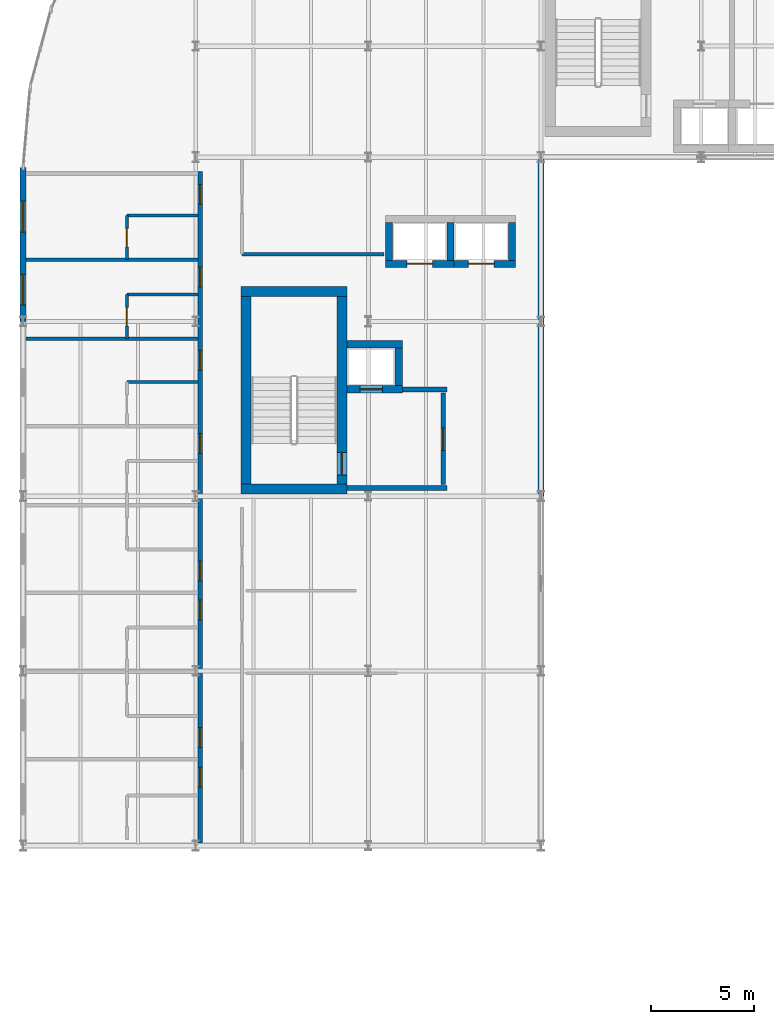
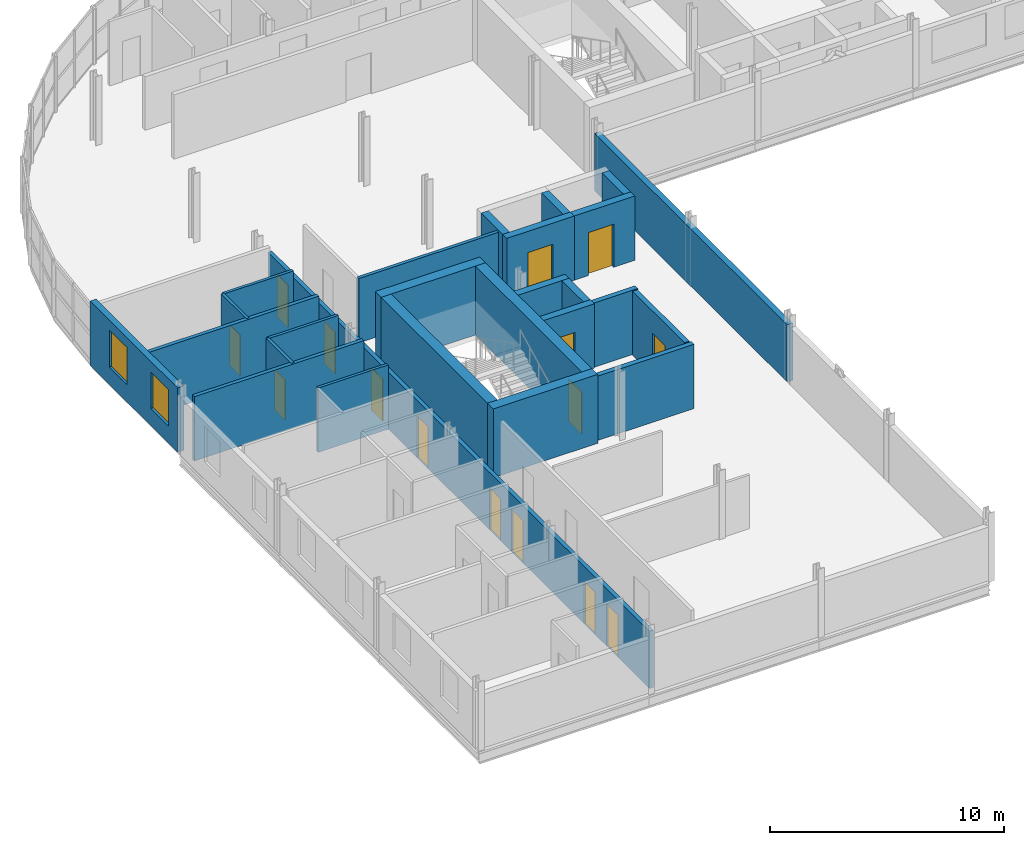
# One storey, part 21 of 36: 26 walls, 15 doors, 2 windows, 17 openings.
"""IFC4 building model written with IfcOpenShell, lengths in metres."""

from ifc_helpers import new_model, si_unit, direction, frame, frame_2d, origin, place, context, subcontext, project, spatial, rectangle, extrude, material, layer, layer_set, type_object, element, fill, save


model = new_model("IFC4")

# Units and contexts
model_context = context("Model", 3, precision=1e-05, world=origin(), true_north=direction((0.0, 1.0)))
body_context = subcontext(model_context, "Body", "Model", "MODEL_VIEW")
ifc_project = project(units=[si_unit("LENGTHUNIT", "METRE"), si_unit("AREAUNIT", "SQUARE_METRE"), si_unit("VOLUMEUNIT", "CUBIC_METRE"), si_unit("PLANEANGLEUNIT", "RADIAN"), si_unit("MASSUNIT", "GRAM", prefix="KILO")], contexts=[model_context])

# Site, building, storey
site_placement = place(None, origin())
site = spatial("IfcSite", under=ifc_project, at=site_placement, CompositionType="ELEMENT")
building_placement = place(site_placement, origin())
building = spatial("IfcBuilding", under=site, at=building_placement, Name="Sefraquen Railside Congress Hotel", CompositionType="ELEMENT")
storey_placement = place(building_placement, frame((0.0, 0.0, 28.199951171875)))
storey = spatial("IfcBuildingStorey", under=building, at=storey_placement, Name="L06", CompositionType="ELEMENT", Elevation=28.199951171875)

# Wall
ifc_material_1 = material(Name="Concrete C50/60", Category="concrete")
ifc_layer_1 = layer(ifc_material_1, 0.35009765625)
ifc_layer_set_1 = layer_set([ifc_layer_1], Name="Concrete C50/60")
wall_type_1 = type_object("IfcWallType", Name="TW-CW-350", PredefinedType="SHEAR", material=ifc_layer_set_1)
wall_1_placement = place(storey_placement, frame((15.760009765625, 86.89501953125, 0.0), z_axis=(0.0, 0.0, 1.0), x_axis=(1.0, 0.0, 0.0)))
element("IfcWall", 1, at=wall_1_placement, inside=storey, type_object=wall_type_1, Name="Lift FL-01 shaft wall N L06", PredefinedType="SHEAR", context=body_context, shape_type="SweptSolid", body=[
    extrude(rectangle(XDim=2.68994140625, YDim=0.35009765625, at=frame_2d((1.344970703125, 0.0))), origin(), (0.0, 0.0, 1.0), 3.360107421875),
])

# Wall, opening, door
wall_2_placement = place(storey_placement, frame((15.760009765625, 84.705078125, 0.0), z_axis=(0.0, 0.0, 1.0), x_axis=(1.0, 0.0, 0.0)))
wall_2 = element("IfcWall", 2, at=wall_2_placement, inside=storey, type_object=wall_type_1, Name="Lift FL-01 shaft wall S L06", PredefinedType="SHEAR", context=body_context, shape_type="SweptSolid", body=[
    extrude(rectangle(XDim=2.68994140625, YDim=0.35009765625, at=frame_2d((1.344970703125, 0.0))), origin(), (0.0, 0.0, 1.0), 3.360107421875),
])
opening_1_placement = place(wall_2_placement, frame((0.6201171875, 0.0, 0.0)))
opening_1 = element("IfcOpeningElement", 3, at=opening_1_placement, cuts=wall_2, Name="Opening LD-01", PredefinedType="OPENING", context=body_context, shape_type="SweptSolid", body=[
    extrude(rectangle(XDim=1.10009765625, YDim=2.199951171875, at=frame_2d((0.550048828125, 1.10009765625))), frame((0.0, 0.18505859375, 0.0), z_axis=(0.0, -1.0, 0.0), x_axis=(1.0, 0.0, 0.0)), (0.0, 0.0, 1.0), 0.3701171875),
])
ifc_material_2 = material(Name="Brushed bronze stainless steel", Category="steel")
door_type_1 = type_object("IfcDoorType", Name="TD-LD-01", OperationType="NOTDEFINED", PredefinedType="DOOR", material=ifc_material_2)
door_1_placement = place(opening_1_placement, origin())
door_1 = element("IfcDoor", 4, at=door_1_placement, inside=storey, type_object=door_type_1, Name="Lift landing door FL-01 L06", OperationType="SLIDING_TO_LEFT", OverallHeight=2.199951171875, OverallWidth=1.10009765625, PredefinedType="DOOR", context=body_context, shape_type="SweptSolid", body=[
    extrude(rectangle(XDim=1.10009765625, YDim=2.199951171875, at=frame_2d((0.550048828125, 1.10009765625))), frame((0.0, 0.02490234375, 0.0), z_axis=(0.0, -1.0, 0.0), x_axis=(1.0, 0.0, 0.0)), (0.0, 0.0, 1.0), 0.050048828125),
])
fill(opening_1, door_1)

# Wall
wall_3_placement = place(storey_placement, frame((18.27490234375, 84.8798828125, 0.0), z_axis=(0.0, 0.0, 1.0), x_axis=(0.0, 1.0, 0.0)))
element("IfcWall", 5, at=wall_3_placement, inside=storey, type_object=wall_type_1, Name="Lift FL-01 shaft wall E L06", PredefinedType="SHEAR", context=body_context, shape_type="SweptSolid", body=[
    extrude(rectangle(XDim=1.840087890625, YDim=0.35009765625, at=frame_2d((0.919921875, 0.0))), origin(), (0.0, 0.0, 1.0), 3.360107421875),
])

# Wall, opening, door
wall_4_placement = place(storey_placement, frame((17.6298828125, 90.804931640625, 0.0), z_axis=(0.0, 0.0, 1.0), x_axis=(1.0, 0.0, 0.0)))
wall_4 = element("IfcWall", 6, at=wall_4_placement, inside=storey, type_object=wall_type_1, Name="Lift PL-01 shaft wall S L06", PredefinedType="SHEAR", context=body_context, shape_type="SweptSolid", body=[
    extrude(rectangle(XDim=3.340087890625, YDim=0.35009765625, at=frame_2d((1.669921875, 0.0))), origin(), (0.0, 0.0, 1.0), 3.360107421875),
])
opening_2_placement = place(wall_4_placement, frame((1.044921875, 0.0, 0.0)))
opening_2 = element("IfcOpeningElement", 7, at=opening_2_placement, cuts=wall_4, Name="Opening LD-02", PredefinedType="OPENING", context=body_context, shape_type="SweptSolid", body=[
    extrude(rectangle(XDim=1.25, YDim=2.25, at=frame_2d((0.625, 1.125))), frame((0.0, 0.18505859375, 0.0), z_axis=(0.0, -1.0, 0.0), x_axis=(1.0, 0.0, 0.0)), (0.0, 0.0, 1.0), 0.3701171875),
])
ifc_material_3 = material(Name="Brushed stainless steel", Category="steel")
door_type_2 = type_object("IfcDoorType", Name="TD-LD-02", OperationType="NOTDEFINED", PredefinedType="DOOR", material=ifc_material_3)
door_2_placement = place(opening_2_placement, origin())
door_2 = element("IfcDoor", 8, at=door_2_placement, inside=storey, type_object=door_type_2, Name="Lift landing door PL-01 L06", OperationType="SLIDING_TO_LEFT", OverallHeight=2.25, OverallWidth=1.25, PredefinedType="DOOR", context=body_context, shape_type="SweptSolid", body=[
    extrude(rectangle(XDim=1.25, YDim=2.25, at=frame_2d((0.625, 1.125))), frame((0.0, 0.02490234375, 0.0), z_axis=(0.0, -1.0, 0.0), x_axis=(1.0, 0.0, 0.0)), (0.0, 0.0, 1.0), 0.050048828125),
])
fill(opening_2, door_2)

# Walls
for number, where, z_axis, x_axis, name in (
    (9, (17.804931640625, 90.97998046875, 0.0), (0.0, 0.0, 1.0), (0.0, 1.0, 0.0), "Lift PL-01 shaft wall W L06"),
    (10, (20.794921875, 90.97998046875, 0.0), (0.0, 0.0, 1.0), (0.0, 1.0, 0.0), "Lift PL-01 shaft wall E L06"),
):
    element("IfcWall", number, at=place(storey_placement, frame(where, z_axis=z_axis, x_axis=x_axis)), inside=storey, type_object=wall_type_1, Name=name, PredefinedType="SHEAR", context=body_context, shape_type="SweptSolid", body=[
        extrude(rectangle(XDim=1.840087890625, YDim=0.35009765625, at=frame_2d((0.919921875, 0.0))), origin(), (0.0, 0.0, 1.0), 3.360107421875),
    ])

# Wall, opening, door
wall_5_placement = place(storey_placement, frame((20.969970703125, 90.804931640625, 0.0), z_axis=(0.0, 0.0, 1.0), x_axis=(1.0, 0.0, 0.0)))
wall_5 = element("IfcWall", 11, at=wall_5_placement, inside=storey, type_object=wall_type_1, Name="Lift PL-02 shaft wall S L06", PredefinedType="SHEAR", context=body_context, shape_type="SweptSolid", body=[
    extrude(rectangle(XDim=2.989990234375, YDim=0.35009765625, at=frame_2d((1.4951171875, 0.0))), origin(), (0.0, 0.0, 1.0), 3.360107421875),
])
opening_3_placement = place(wall_5_placement, frame((0.695068359375, 0.0, 0.0)))
opening_3 = element("IfcOpeningElement", 12, at=opening_3_placement, cuts=wall_5, Name="Opening LD-02", PredefinedType="OPENING", context=body_context, shape_type="SweptSolid", body=[
    extrude(rectangle(XDim=1.25, YDim=2.25, at=frame_2d((0.625, 1.125))), frame((0.0, 0.18505859375, 0.0), z_axis=(0.0, -1.0, 0.0), x_axis=(1.0, 0.0, 0.0)), (0.0, 0.0, 1.0), 0.3701171875),
])
door_3_placement = place(opening_3_placement, origin())
door_3 = element("IfcDoor", 13, at=door_3_placement, inside=storey, type_object=door_type_2, Name="Lift landing door PL-02 L06", OperationType="SLIDING_TO_LEFT", OverallHeight=2.25, OverallWidth=1.25, PredefinedType="DOOR", context=body_context, shape_type="SweptSolid", body=[
    extrude(rectangle(XDim=1.25, YDim=2.25, at=frame_2d((0.625, 1.125))), frame((0.0, 0.02490234375, 0.0), z_axis=(0.0, -1.0, 0.0), x_axis=(1.0, 0.0, 0.0)), (0.0, 0.0, 1.0), 0.050048828125),
])
fill(opening_3, door_3)

# Walls
wall_6_placement = place(storey_placement, frame((23.784912109375, 90.97998046875, 0.0), z_axis=(0.0, 0.0, 1.0), x_axis=(0.0, 1.0, 0.0)))
element("IfcWall", 14, at=wall_6_placement, inside=storey, type_object=wall_type_1, Name="Lift PL-02 shaft wall E L06", PredefinedType="SHEAR", context=body_context, shape_type="SweptSolid", body=[
    extrude(rectangle(XDim=1.840087890625, YDim=0.35009765625, at=frame_2d((0.919921875, 0.0))), origin(), (0.0, 0.0, 1.0), 3.360107421875),
])
ifc_layer_2 = layer(ifc_material_1, 0.5)
ifc_layer_set_2 = layer_set([ifc_layer_2], Name="Concrete C50/60")
wall_type_2 = type_object("IfcWallType", Name="TW-CW-500", PredefinedType="SHEAR", material=ifc_layer_set_2)
for number, where, z_axis, x_axis, name in (
    (15, (10.60009765625, 89.4619140625, 0.0), (0.0, 0.0, 1.0), (1.0, 0.0, 0.0), "Core shear wall ST-H01 N L06"),
    (16, (10.60009765625, 79.85009765625, 0.0), (0.0, 0.0, 1.0), (1.0, 0.0, 0.0), "Core shear wall ST-H01 S L06"),
):
    element("IfcWall", number, at=place(storey_placement, frame(where, z_axis=z_axis, x_axis=x_axis)), inside=storey, type_object=wall_type_2, Name=name, PredefinedType="SHEAR", context=body_context, shape_type="SweptSolid", body=[
        extrude(rectangle(XDim=5.159912109375, YDim=0.5, at=frame_2d((2.580078125, 0.0))), origin(), (0.0, 0.0, 1.0), 3.60009765625),
    ])
wall_7_placement = place(storey_placement, frame((10.85009765625, 80.10009765625, 0.0), z_axis=(0.0, 0.0, 1.0), x_axis=(0.0, 1.0, 0.0)))
element("IfcWall", 17, at=wall_7_placement, inside=storey, type_object=wall_type_2, Name="Core shear wall ST-H01 W L06", PredefinedType="SHEAR", context=body_context, shape_type="SweptSolid", body=[
    extrude(rectangle(XDim=9.11181640625, YDim=0.5, at=frame_2d((4.555908203125, 0.0))), origin(), (0.0, 0.0, 1.0), 3.60009765625),
])

# Wall, opening, door
wall_8_placement = place(storey_placement, frame((15.510009765625, 80.10009765625, 0.0), z_axis=(0.0, 0.0, 1.0), x_axis=(0.0, 1.0, 0.0)))
wall_8 = element("IfcWall", 18, at=wall_8_placement, inside=storey, type_object=wall_type_2, Name="Core shear wall ST-H01 E L06", PredefinedType="SHEAR", context=body_context, shape_type="SweptSolid", body=[
    extrude(rectangle(XDim=9.11181640625, YDim=0.5, at=frame_2d((4.555908203125, 0.0))), origin(), (0.0, 0.0, 1.0), 3.60009765625),
])
opening_4_placement = place(wall_8_placement, frame((0.43994140625, 0.0, 0.0)))
opening_4 = element("IfcOpeningElement", 19, at=opening_4_placement, cuts=wall_8, Name="Opening FD-04", PredefinedType="OPENING", context=body_context, shape_type="SweptSolid", body=[
    extrude(rectangle(XDim=1.10009765625, YDim=2.199951171875, at=frame_2d((0.550048828125, 1.10009765625))), frame((0.0, 0.260009765625, 0.0), z_axis=(0.0, -1.0, 0.0), x_axis=(1.0, 0.0, 0.0)), (0.0, 0.0, 1.0), 0.52001953125),
])
ifc_material_4 = material(Name="Fire-rated steel", Category="steel")
door_type_3 = type_object("IfcDoorType", Name="TD-FD-04", OperationType="NOTDEFINED", PredefinedType="DOOR", material=ifc_material_4)
door_4_placement = place(opening_4_placement, origin())
door_4 = element("IfcDoor", 20, at=door_4_placement, inside=storey, type_object=door_type_3, Name="Pressurized stair ST-H01 fire door L06", OperationType="SINGLE_SWING_RIGHT", OverallHeight=2.199951171875, OverallWidth=1.10009765625, PredefinedType="DOOR", context=body_context, shape_type="SweptSolid", body=[
    extrude(rectangle(XDim=1.10009765625, YDim=2.199951171875, at=frame_2d((0.550048828125, 1.10009765625))), frame((0.0, 0.02490234375, 0.0), z_axis=(0.0, -1.0, 0.0), x_axis=(1.0, 0.0, 0.0)), (0.0, 0.0, 1.0), 0.050048828125),
])
fill(opening_4, door_4)

# Wall
ifc_material_5 = material(Name="Ochre Rabat calcarenite limestone and Concrete C40/50 backing", Category="masonry")
ifc_layer_3 = layer(ifc_material_5, 0.280029296875)
ifc_layer_set_3 = layer_set([ifc_layer_3], Name="Ochre Rabat calcarenite limestone and Concrete C40/50 backing")
wall_type_3 = type_object("IfcWallType", Name="TW-EW-280", PredefinedType="STANDARD", material=ifc_layer_set_3)
wall_9_placement = place(storey_placement, frame((25.199951171875, 79.5, 0.0), z_axis=(0.0, 0.0, 1.0), x_axis=(0.0, 1.0, 0.0)))
element("IfcWall", 21, at=wall_9_placement, inside=storey, type_object=wall_type_3, Name="Hotel L06 courtyard return wall", PredefinedType="STANDARD", context=body_context, shape_type="SweptSolid", body=[
    extrude(rectangle(XDim=16.5, YDim=0.280029296875, at=frame_2d((8.25, 0.0))), origin(), (0.0, 0.0, 1.0), 2.989990234375),
])

# Wall, openings, windows
ifc_layer_4 = layer(ifc_material_5, 0.300048828125)
ifc_layer_set_4 = layer_set([ifc_layer_4], Name="Ochre Rabat calcarenite limestone and Concrete C40/50 backing")
wall_type_4 = type_object("IfcWallType", Name="TW-EW-300", PredefinedType="STANDARD", material=ifc_layer_set_4)
wall_10_placement = place(storey_placement, frame((0.0, 88.0, 0.0), z_axis=(0.0, 0.0, 1.0), x_axis=(0.0, 1.0, 0.0)))
wall_10 = element("IfcWall", 22, at=wall_10_placement, inside=storey, type_object=wall_type_4, Name="Hotel L06 West Forecourt facade wall", PredefinedType="STANDARD", context=body_context, shape_type="SweptSolid", body=[
    extrude(rectangle(XDim=7.5, YDim=0.300048828125, at=frame_2d((3.75, 0.0))), origin(), (0.0, 0.0, 1.0), 3.360107421875),
])
opening_5_placement = place(wall_10_placement, frame((0.800048828125, 0.0, 0.89990234375)))
opening_5 = element("IfcOpeningElement", 23, at=opening_5_placement, cuts=wall_10, Name="Opening WN-03", PredefinedType="OPENING", context=body_context, shape_type="SweptSolid", body=[
    extrude(rectangle(XDim=1.5, YDim=1.89990234375, at=frame_2d((0.75, 0.949951171875))), frame((0.0, 0.159912109375, 0.0), z_axis=(0.0, -1.0, 0.0), x_axis=(1.0, 0.0, 0.0)), (0.0, 0.0, 1.0), 0.320068359375),
])
opening_6_placement = place(wall_10_placement, frame((4.35498046875, 0.0, 0.89990234375)))
opening_6 = element("IfcOpeningElement", 24, at=opening_6_placement, cuts=wall_10, Name="Opening WN-04", PredefinedType="OPENING", context=body_context, shape_type="SweptSolid", body=[
    extrude(rectangle(XDim=1.5, YDim=1.949951171875, at=frame_2d((0.75, 0.97509765625))), frame((0.0, 0.159912109375, 0.0), z_axis=(0.0, -1.0, 0.0), x_axis=(1.0, 0.0, 0.0)), (0.0, 0.0, 1.0), 0.320068359375),
])
ifc_material_6 = material(Name="Solar-control low-E double glazing in bronze-anodised frame", Category="glass")
window_type_1 = type_object("IfcWindowType", Name="TWN-W-03", PartitioningType="DOUBLE_PANEL_VERTICAL", PredefinedType="WINDOW", material=ifc_material_6)
window_1_placement = place(opening_5_placement, origin())
window_1 = element("IfcWindow", 25, at=window_1_placement, inside=storey, type_object=window_type_1, Name="Guest room west window SP-L06-RM-045", OverallHeight=1.89990234375, OverallWidth=1.5, PartitioningType="DOUBLE_PANEL_VERTICAL", PredefinedType="WINDOW", context=body_context, shape_type="SweptSolid", body=[
    extrude(rectangle(XDim=1.5, YDim=1.89990234375, at=frame_2d((0.75, 0.949951171875))), frame((0.0, 0.030029296875, 0.0), z_axis=(0.0, -1.0, 0.0), x_axis=(1.0, 0.0, 0.0)), (0.0, 0.0, 1.0), 0.06005859375),
])
fill(opening_5, window_1)
window_type_2 = type_object("IfcWindowType", Name="TWN-W-04", PartitioningType="DOUBLE_PANEL_VERTICAL", PredefinedType="WINDOW", material=ifc_material_6)
window_2_placement = place(opening_6_placement, origin())
window_2 = element("IfcWindow", 26, at=window_2_placement, inside=storey, type_object=window_type_2, Name="Guest room west window SP-L06-RM-046", OverallHeight=1.949951171875, OverallWidth=1.5, PartitioningType="DOUBLE_PANEL_VERTICAL", PredefinedType="WINDOW", context=body_context, shape_type="SweptSolid", body=[
    extrude(rectangle(XDim=1.5, YDim=1.949951171875, at=frame_2d((0.75, 0.97509765625))), frame((0.0, 0.030029296875, 0.0), z_axis=(0.0, -1.0, 0.0), x_axis=(1.0, 0.0, 0.0)), (0.0, 0.0, 1.0), 0.06005859375),
])
fill(opening_6, window_2)

# Walls
ifc_material_7 = material(Name="Concrete C40/50", Category="concrete")
ifc_layer_5 = layer(ifc_material_7, 0.239990234375)
ifc_layer_set_5 = layer_set([ifc_layer_5], Name="Concrete C40/50")
wall_type_5 = type_object("IfcWallType", Name="TW-FW-240", PredefinedType="STANDARD", material=ifc_layer_set_5)
wall_11_placement = place(storey_placement, frame((15.760009765625, 79.89990234375, 0.0), z_axis=(0.0, 0.0, 1.0), x_axis=(1.0, 0.0, 0.0)))
element("IfcWall", 27, at=wall_11_placement, inside=storey, type_object=wall_type_5, Name="Firefighting Lift Lobby FFL-01 S fire wall L06", PredefinedType="STANDARD", context=body_context, shape_type="SweptSolid", body=[
    extrude(rectangle(XDim=4.860107421875, YDim=0.239990234375, at=frame_2d((2.43017578125, 0.0))), origin(), (0.0, 0.0, 1.0), 3.360107421875),
])
wall_12_placement = place(storey_placement, frame((18.449951171875, 84.705078125, 0.0), z_axis=(0.0, 0.0, 1.0), x_axis=(1.0, 0.0, 0.0)))
element("IfcWall", 28, at=wall_12_placement, inside=storey, type_object=wall_type_5, Name="Firefighting Lift Lobby FFL-01 N fire wall L06", PredefinedType="STANDARD", context=body_context, shape_type="SweptSolid", body=[
    extrude(rectangle(XDim=2.170166015625, YDim=0.239990234375, at=frame_2d((1.0849609375, 0.0))), origin(), (0.0, 0.0, 1.0), 3.360107421875),
])

# Wall, opening, door
wall_13_placement = place(storey_placement, frame((20.43994140625, 80.080078125, 0.0), z_axis=(0.0, 0.0, 1.0), x_axis=(0.0, 1.0, 0.0)))
wall_13 = element("IfcWall", 29, at=wall_13_placement, inside=storey, type_object=wall_type_5, Name="Firefighting Lift Lobby FFL-01 EI 120 separation wall L06", PredefinedType="STANDARD", context=body_context, shape_type="SweptSolid", body=[
    extrude(rectangle(XDim=4.449951171875, YDim=0.239990234375, at=frame_2d((2.22509765625, 0.0))), origin(), (0.0, 0.0, 1.0), 3.360107421875),
])
opening_7_placement = place(wall_13_placement, frame((1.64990234375, 0.0, 0.0)))
opening_7 = element("IfcOpeningElement", 30, at=opening_7_placement, cuts=wall_13, Name="Opening FD-04", PredefinedType="OPENING", context=body_context, shape_type="SweptSolid", body=[
    extrude(rectangle(XDim=1.10009765625, YDim=2.199951171875, at=frame_2d((0.550048828125, 1.10009765625))), frame((0.0, 0.1298828125, 0.0), z_axis=(0.0, -1.0, 0.0), x_axis=(1.0, 0.0, 0.0)), (0.0, 0.0, 1.0), 0.260009765625),
])
door_5_placement = place(opening_7_placement, origin())
door_5 = element("IfcDoor", 31, at=door_5_placement, inside=storey, type_object=door_type_3, Name="Firefighting Lift Lobby FFL-01 self-closing fire door L06", OperationType="SINGLE_SWING_RIGHT", OverallHeight=2.199951171875, OverallWidth=1.10009765625, PredefinedType="DOOR", context=body_context, shape_type="SweptSolid", body=[
    extrude(rectangle(XDim=1.10009765625, YDim=2.199951171875, at=frame_2d((0.550048828125, 1.10009765625))), frame((0.0, 0.02490234375, 0.0), z_axis=(0.0, -1.0, 0.0), x_axis=(1.0, 0.0, 0.0)), (0.0, 0.0, 1.0), 0.050048828125),
])
fill(opening_7, door_5)

# Walls
ifc_material_8 = material(Name="Moisture-resistant gypsum board", Category="gypsum")
ifc_layer_6 = layer(ifc_material_8, 0.139892578125)
ifc_layer_set_6 = layer_set([ifc_layer_6], Name="Moisture-resistant gypsum board")
wall_type_6 = type_object("IfcWallType", Name="TW-PW-140", PredefinedType="PARTITIONING", material=ifc_layer_set_6)
for number, where, z_axis, x_axis, name in (
    (32, (5.050048828125, 85.06005859375, 0.0), (0.0, 0.0, 1.0), (1.0, 0.0, 0.0), "West en-suite bathroom north wall RM-044"),
    (33, (5.050048828125, 89.320068359375, 0.0), (0.0, 0.0, 1.0), (1.0, 0.0, 0.0), "West en-suite bathroom north wall RM-045"),
):
    element("IfcWall", number, at=place(storey_placement, frame(where, z_axis=z_axis, x_axis=x_axis)), inside=storey, type_object=wall_type_6, Name=name, PredefinedType="PARTITIONING", context=body_context, shape_type="SweptSolid", body=[
        extrude(rectangle(XDim=3.469970703125, YDim=0.139892578125, at=frame_2d((1.73486328125, 0.0))), origin(), (0.0, 0.0, 1.0), 3.360107421875),
    ])

# Wall, opening, door
wall_14_placement = place(storey_placement, frame((5.050048828125, 87.169921875, 0.0), z_axis=(0.0, 0.0, 1.0), x_axis=(0.0, 1.0, 0.0)))
wall_14 = element("IfcWall", 34, at=wall_14_placement, inside=storey, type_object=wall_type_6, Name="West en-suite bathroom west wall RM-045", PredefinedType="PARTITIONING", context=body_context, shape_type="SweptSolid", body=[
    extrude(rectangle(XDim=2.150146484375, YDim=0.139892578125, at=frame_2d((1.0751953125, 0.0))), origin(), (0.0, 0.0, 1.0), 3.360107421875),
])
opening_8_placement = place(wall_14_placement, frame((0.625, 0.0, 0.0)))
opening_8 = element("IfcOpeningElement", 35, at=opening_8_placement, cuts=wall_14, Name="Opening ID-02", PredefinedType="OPENING", context=body_context, shape_type="SweptSolid", body=[
    extrude(rectangle(XDim=0.89990234375, YDim=2.10009765625, at=frame_2d((0.449951171875, 1.050048828125))), frame((0.0, 0.079833984375, 0.0), z_axis=(0.0, -1.0, 0.0), x_axis=(1.0, 0.0, 0.0)), (0.0, 0.0, 1.0), 0.159912109375),
])
ifc_material_9 = material(Name="Lacquered cedar joinery", Category="wood")
door_type_4 = type_object("IfcDoorType", Name="TD-ID-02", OperationType="NOTDEFINED", PredefinedType="DOOR", material=ifc_material_9)
door_6_placement = place(opening_8_placement, frame((0.89990234375, 0.0, 0.0), z_axis=(0.0, 0.0, 1.0), x_axis=(-1.0, 0.0, 0.0)))
door_6 = element("IfcDoor", 36, at=door_6_placement, inside=storey, type_object=door_type_4, Name="En-suite bathroom door RM-045", OperationType="SINGLE_SWING_LEFT", OverallHeight=2.10009765625, OverallWidth=0.89990234375, PredefinedType="DOOR", context=body_context, shape_type="SweptSolid", body=[
    extrude(rectangle(XDim=0.89990234375, YDim=2.10009765625, at=frame_2d((0.449951171875, 1.050048828125))), frame((0.0, 0.02490234375, 0.0), z_axis=(0.0, -1.0, 0.0), x_axis=(1.0, 0.0, 0.0)), (0.0, 0.0, 1.0), 0.050048828125),
])
fill(opening_8, door_6)

# Wall
wall_15_placement = place(storey_placement, frame((5.050048828125, 93.159912109375, 0.0), z_axis=(0.0, 0.0, 1.0), x_axis=(1.0, 0.0, 0.0)))
element("IfcWall", 37, at=wall_15_placement, inside=storey, type_object=wall_type_6, Name="West en-suite bathroom north wall RM-046", PredefinedType="PARTITIONING", context=body_context, shape_type="SweptSolid", body=[
    extrude(rectangle(XDim=3.469970703125, YDim=0.139892578125, at=frame_2d((1.73486328125, 0.0))), origin(), (0.0, 0.0, 1.0), 3.360107421875),
])

# Wall, opening, door
wall_16_placement = place(storey_placement, frame((5.050048828125, 91.010009765625, 0.0), z_axis=(0.0, 0.0, 1.0), x_axis=(0.0, 1.0, 0.0)))
wall_16 = element("IfcWall", 38, at=wall_16_placement, inside=storey, type_object=wall_type_6, Name="West en-suite bathroom west wall RM-046", PredefinedType="PARTITIONING", context=body_context, shape_type="SweptSolid", body=[
    extrude(rectangle(XDim=2.14990234375, YDim=0.139892578125, at=frame_2d((1.074951171875, 0.0))), origin(), (0.0, 0.0, 1.0), 3.360107421875),
])
opening_9_placement = place(wall_16_placement, frame((0.625, 0.0, 0.0)))
opening_9 = element("IfcOpeningElement", 39, at=opening_9_placement, cuts=wall_16, Name="Opening ID-02", PredefinedType="OPENING", context=body_context, shape_type="SweptSolid", body=[
    extrude(rectangle(XDim=0.89990234375, YDim=2.10009765625, at=frame_2d((0.449951171875, 1.050048828125))), frame((0.0, 0.079833984375, 0.0), z_axis=(0.0, -1.0, 0.0), x_axis=(1.0, 0.0, 0.0)), (0.0, 0.0, 1.0), 0.159912109375),
])
door_7_placement = place(opening_9_placement, frame((0.89990234375, 0.0, 0.0), z_axis=(0.0, 0.0, 1.0), x_axis=(-1.0, 0.0, 0.0)))
door_7 = element("IfcDoor", 40, at=door_7_placement, inside=storey, type_object=door_type_4, Name="En-suite bathroom door RM-046", OperationType="SINGLE_SWING_LEFT", OverallHeight=2.10009765625, OverallWidth=0.89990234375, PredefinedType="DOOR", context=body_context, shape_type="SweptSolid", body=[
    extrude(rectangle(XDim=0.89990234375, YDim=2.10009765625, at=frame_2d((0.449951171875, 1.050048828125))), frame((0.0, 0.02490234375, 0.0), z_axis=(0.0, -1.0, 0.0), x_axis=(1.0, 0.0, 0.0)), (0.0, 0.0, 1.0), 0.050048828125),
])
fill(opening_9, door_7)

# Walls
ifc_layer_7 = layer(ifc_material_8, 0.159912109375)
ifc_layer_set_7 = layer_set([ifc_layer_7], Name="Moisture-resistant gypsum board")
wall_type_7 = type_object("IfcWallType", Name="TW-PW-160", PredefinedType="PARTITIONING", material=ifc_layer_set_7)
wall_17_placement = place(storey_placement, frame((10.64990234375, 91.280029296875, 0.0), z_axis=(0.0, 0.0, 1.0), x_axis=(1.0, 0.0, 0.0)))
element("IfcWall", 41, at=wall_17_placement, inside=storey, type_object=wall_type_7, Name="Hotel L06 staff WC south enclosure partition", PredefinedType="PARTITIONING", context=body_context, shape_type="SweptSolid", body=[
    extrude(rectangle(XDim=6.900146484375, YDim=0.159912109375, at=frame_2d((3.4501953125, 0.0))), origin(), (0.0, 0.0, 1.0), 3.360107421875),
])
ifc_material_10 = material(Name="Acoustic gypsum board on metal stud", Category="gypsum")
ifc_layer_8 = layer(ifc_material_10, 0.179931640625)
ifc_layer_set_8 = layer_set([ifc_layer_8], Name="Acoustic gypsum board on metal stud")
wall_type_8 = type_object("IfcWallType", Name="TW-PW-180", PredefinedType="PARTITIONING", material=ifc_layer_set_8)
for number, where, z_axis, x_axis, name in (
    (42, (0.14990234375, 87.169921875, 0.0), (0.0, 0.0, 1.0), (1.0, 0.0, 0.0), "West return guest room demising wall RM-044"),
    (43, (0.14990234375, 91.010009765625, 0.0), (0.0, 0.0, 1.0), (1.0, 0.0, 0.0), "West return guest room demising wall RM-045"),
):
    element("IfcWall", number, at=place(storey_placement, frame(where, z_axis=z_axis, x_axis=x_axis)), inside=storey, type_object=wall_type_8, Name=name, PredefinedType="PARTITIONING", context=body_context, shape_type="SweptSolid", body=[
        extrude(rectangle(XDim=8.3701171875, YDim=0.179931640625, at=frame_2d((4.18505859375, 0.0))), origin(), (0.0, 0.0, 1.0), 3.360107421875),
    ])

# Wall, openings, doors
ifc_layer_9 = layer(ifc_material_10, 0.199951171875)
ifc_layer_set_9 = layer_set([ifc_layer_9], Name="Acoustic gypsum board on metal stud")
wall_type_9 = type_object("IfcWallType", Name="TW-PW-200", PredefinedType="PARTITIONING", material=ifc_layer_set_9)
wall_18_placement = place(storey_placement, frame((8.6201171875, 62.639892578125, 0.0), z_axis=(0.0, 0.0, 1.0), x_axis=(0.0, 1.0, 0.0)))
wall_18 = element("IfcWall", 44, at=wall_18_placement, inside=storey, type_object=wall_type_9, Name="Hotel L06 west-return corridor W partition", PredefinedType="PARTITIONING", context=body_context, shape_type="SweptSolid", body=[
    extrude(rectangle(XDim=32.66015625, YDim=0.199951171875, at=frame_2d((16.330078125, 0.0))), origin(), (0.0, 0.0, 1.0), 2.989990234375),
])
opening_10_placement = place(wall_18_placement, frame((2.7099609375, 0.0, 0.0)))
opening_10 = element("IfcOpeningElement", 45, at=opening_10_placement, cuts=wall_18, Name="Opening GD-02", PredefinedType="OPENING", context=body_context, shape_type="SweptSolid", body=[
    extrude(rectangle(XDim=0.9599609375, YDim=2.199951171875, at=frame_2d((0.47998046875, 1.10009765625))), frame((0.0, 0.10986328125, 0.0), z_axis=(0.0, -1.0, 0.0), x_axis=(1.0, 0.0, 0.0)), (0.0, 0.0, 1.0), 0.219970703125),
])
opening_11_placement = place(wall_18_placement, frame((4.64501953125, 0.0, 0.0)))
opening_11 = element("IfcOpeningElement", 46, at=opening_11_placement, cuts=wall_18, Name="Opening GD-02", PredefinedType="OPENING", context=body_context, shape_type="SweptSolid", body=[
    extrude(rectangle(XDim=0.9599609375, YDim=2.199951171875, at=frame_2d((0.47998046875, 1.10009765625))), frame((0.0, 0.10986328125, 0.0), z_axis=(0.0, -1.0, 0.0), x_axis=(1.0, 0.0, 0.0)), (0.0, 0.0, 1.0), 0.219970703125),
])
opening_12_placement = place(wall_18_placement, frame((10.844970703125, 0.0, 0.0)))
opening_12 = element("IfcOpeningElement", 47, at=opening_12_placement, cuts=wall_18, Name="Opening GD-02", PredefinedType="OPENING", context=body_context, shape_type="SweptSolid", body=[
    extrude(rectangle(XDim=0.9599609375, YDim=2.199951171875, at=frame_2d((0.47998046875, 1.10009765625))), frame((0.0, 0.10986328125, 0.0), z_axis=(0.0, -1.0, 0.0), x_axis=(1.0, 0.0, 0.0)), (0.0, 0.0, 1.0), 0.219970703125),
])
opening_13_placement = place(wall_18_placement, frame((12.7451171875, 0.0, 0.0)))
opening_13 = element("IfcOpeningElement", 48, at=opening_13_placement, cuts=wall_18, Name="Opening GD-02", PredefinedType="OPENING", context=body_context, shape_type="SweptSolid", body=[
    extrude(rectangle(XDim=0.9599609375, YDim=2.199951171875, at=frame_2d((0.47998046875, 1.10009765625))), frame((0.0, 0.10986328125, 0.0), z_axis=(0.0, -1.0, 0.0), x_axis=(1.0, 0.0, 0.0)), (0.0, 0.0, 1.0), 0.219970703125),
])
opening_14_placement = place(wall_18_placement, frame((18.945068359375, 0.0, 0.0)))
opening_14 = element("IfcOpeningElement", 49, at=opening_14_placement, cuts=wall_18, Name="Opening GD-02", PredefinedType="OPENING", context=body_context, shape_type="SweptSolid", body=[
    extrude(rectangle(XDim=0.9599609375, YDim=2.199951171875, at=frame_2d((0.47998046875, 1.10009765625))), frame((0.0, 0.10986328125, 0.0), z_axis=(0.0, -1.0, 0.0), x_axis=(1.0, 0.0, 0.0)), (0.0, 0.0, 1.0), 0.219970703125),
])
opening_15_placement = place(wall_18_placement, frame((22.9951171875, 0.0, 0.0)))
opening_15 = element("IfcOpeningElement", 50, at=opening_15_placement, cuts=wall_18, Name="Opening GD-02", PredefinedType="OPENING", context=body_context, shape_type="SweptSolid", body=[
    extrude(rectangle(XDim=0.9599609375, YDim=2.199951171875, at=frame_2d((0.47998046875, 1.10009765625))), frame((0.0, 0.10986328125, 0.0), z_axis=(0.0, -1.0, 0.0), x_axis=(1.0, 0.0, 0.0)), (0.0, 0.0, 1.0), 0.219970703125),
])
opening_16_placement = place(wall_18_placement, frame((27.044921875, 0.0, 0.0)))
opening_16 = element("IfcOpeningElement", 51, at=opening_16_placement, cuts=wall_18, Name="Opening GD-02", PredefinedType="OPENING", context=body_context, shape_type="SweptSolid", body=[
    extrude(rectangle(XDim=0.9599609375, YDim=2.199951171875, at=frame_2d((0.47998046875, 1.10009765625))), frame((0.0, 0.10986328125, 0.0), z_axis=(0.0, -1.0, 0.0), x_axis=(1.0, 0.0, 0.0)), (0.0, 0.0, 1.0), 0.219970703125),
])
opening_17_placement = place(wall_18_placement, frame((31.06005859375, 0.0, 0.0)))
opening_17 = element("IfcOpeningElement", 52, at=opening_17_placement, cuts=wall_18, Name="Opening GD-02", PredefinedType="OPENING", context=body_context, shape_type="SweptSolid", body=[
    extrude(rectangle(XDim=0.9599609375, YDim=2.199951171875, at=frame_2d((0.47998046875, 1.10009765625))), frame((0.0, 0.10986328125, 0.0), z_axis=(0.0, -1.0, 0.0), x_axis=(1.0, 0.0, 0.0)), (0.0, 0.0, 1.0), 0.219970703125),
])
ifc_material_11 = material(Name="Solid Atlas cedar timber fire leaf", Category="wood")
door_type_5 = type_object("IfcDoorType", Name="TD-GD-02", OperationType="NOTDEFINED", PredefinedType="DOOR", material=ifc_material_11)
door_8_placement = place(opening_10_placement, frame((0.9599609375, 0.0, 0.0), z_axis=(0.0, 0.0, 1.0), x_axis=(-1.0, 0.0, 0.0)))
door_8 = element("IfcDoor", 53, at=door_8_placement, inside=storey, type_object=door_type_5, Name="Guest room entrance fire door RM-039", OperationType="SINGLE_SWING_RIGHT", OverallHeight=2.199951171875, OverallWidth=0.9599609375, PredefinedType="DOOR", context=body_context, shape_type="SweptSolid", body=[
    extrude(rectangle(XDim=0.9599609375, YDim=2.199951171875, at=frame_2d((0.47998046875, 1.10009765625))), frame((0.0, 0.02490234375, 0.0), z_axis=(0.0, -1.0, 0.0), x_axis=(1.0, 0.0, 0.0)), (0.0, 0.0, 1.0), 0.050048828125),
])
fill(opening_10, door_8)
door_9_placement = place(opening_11_placement, frame((0.9599609375, 0.0, 0.0), z_axis=(0.0, 0.0, 1.0), x_axis=(-1.0, 0.0, 0.0)))
door_9 = element("IfcDoor", 54, at=door_9_placement, inside=storey, type_object=door_type_5, Name="Guest room entrance fire door RM-040", OperationType="SINGLE_SWING_RIGHT", OverallHeight=2.199951171875, OverallWidth=0.9599609375, PredefinedType="DOOR", context=body_context, shape_type="SweptSolid", body=[
    extrude(rectangle(XDim=0.9599609375, YDim=2.199951171875, at=frame_2d((0.47998046875, 1.10009765625))), frame((0.0, 0.02490234375, 0.0), z_axis=(0.0, -1.0, 0.0), x_axis=(1.0, 0.0, 0.0)), (0.0, 0.0, 1.0), 0.050048828125),
])
fill(opening_11, door_9)
door_10_placement = place(opening_12_placement, frame((0.9599609375, 0.0, 0.0), z_axis=(0.0, 0.0, 1.0), x_axis=(-1.0, 0.0, 0.0)))
door_10 = element("IfcDoor", 55, at=door_10_placement, inside=storey, type_object=door_type_5, Name="Guest room entrance fire door RM-041", OperationType="SINGLE_SWING_RIGHT", OverallHeight=2.199951171875, OverallWidth=0.9599609375, PredefinedType="DOOR", context=body_context, shape_type="SweptSolid", body=[
    extrude(rectangle(XDim=0.9599609375, YDim=2.199951171875, at=frame_2d((0.47998046875, 1.10009765625))), frame((0.0, 0.02490234375, 0.0), z_axis=(0.0, -1.0, 0.0), x_axis=(1.0, 0.0, 0.0)), (0.0, 0.0, 1.0), 0.050048828125),
])
fill(opening_12, door_10)
door_11_placement = place(opening_13_placement, frame((0.9599609375, 0.0, 0.0), z_axis=(0.0, 0.0, 1.0), x_axis=(-1.0, 0.0, 0.0)))
door_11 = element("IfcDoor", 56, at=door_11_placement, inside=storey, type_object=door_type_5, Name="Guest room entrance fire door RM-042", OperationType="SINGLE_SWING_RIGHT", OverallHeight=2.199951171875, OverallWidth=0.9599609375, PredefinedType="DOOR", context=body_context, shape_type="SweptSolid", body=[
    extrude(rectangle(XDim=0.9599609375, YDim=2.199951171875, at=frame_2d((0.47998046875, 1.10009765625))), frame((0.0, 0.02490234375, 0.0), z_axis=(0.0, -1.0, 0.0), x_axis=(1.0, 0.0, 0.0)), (0.0, 0.0, 1.0), 0.050048828125),
])
fill(opening_13, door_11)
door_12_placement = place(opening_14_placement, frame((0.9599609375, 0.0, 0.0), z_axis=(0.0, 0.0, 1.0), x_axis=(-1.0, 0.0, 0.0)))
door_12 = element("IfcDoor", 57, at=door_12_placement, inside=storey, type_object=door_type_5, Name="Guest room entrance fire door RM-043", OperationType="SINGLE_SWING_RIGHT", OverallHeight=2.199951171875, OverallWidth=0.9599609375, PredefinedType="DOOR", context=body_context, shape_type="SweptSolid", body=[
    extrude(rectangle(XDim=0.9599609375, YDim=2.199951171875, at=frame_2d((0.47998046875, 1.10009765625))), frame((0.0, 0.02490234375, 0.0), z_axis=(0.0, -1.0, 0.0), x_axis=(1.0, 0.0, 0.0)), (0.0, 0.0, 1.0), 0.050048828125),
])
fill(opening_14, door_12)
door_13_placement = place(opening_15_placement, frame((0.9599609375, 0.0, 0.0), z_axis=(0.0, 0.0, 1.0), x_axis=(-1.0, 0.0, 0.0)))
door_13 = element("IfcDoor", 58, at=door_13_placement, inside=storey, type_object=door_type_5, Name="Guest room entrance fire door RM-044", OperationType="SINGLE_SWING_RIGHT", OverallHeight=2.199951171875, OverallWidth=0.9599609375, PredefinedType="DOOR", context=body_context, shape_type="SweptSolid", body=[
    extrude(rectangle(XDim=0.9599609375, YDim=2.199951171875, at=frame_2d((0.47998046875, 1.10009765625))), frame((0.0, 0.02490234375, 0.0), z_axis=(0.0, -1.0, 0.0), x_axis=(1.0, 0.0, 0.0)), (0.0, 0.0, 1.0), 0.050048828125),
])
fill(opening_15, door_13)
door_14_placement = place(opening_16_placement, frame((0.9599609375, 0.0, 0.0), z_axis=(0.0, 0.0, 1.0), x_axis=(-1.0, 0.0, 0.0)))
door_14 = element("IfcDoor", 59, at=door_14_placement, inside=storey, type_object=door_type_5, Name="Guest room entrance fire door RM-045", OperationType="SINGLE_SWING_RIGHT", OverallHeight=2.199951171875, OverallWidth=0.9599609375, PredefinedType="DOOR", context=body_context, shape_type="SweptSolid", body=[
    extrude(rectangle(XDim=0.9599609375, YDim=2.199951171875, at=frame_2d((0.47998046875, 1.10009765625))), frame((0.0, 0.02490234375, 0.0), z_axis=(0.0, -1.0, 0.0), x_axis=(1.0, 0.0, 0.0)), (0.0, 0.0, 1.0), 0.050048828125),
])
fill(opening_16, door_14)
door_15_placement = place(opening_17_placement, frame((0.9599609375, 0.0, 0.0), z_axis=(0.0, 0.0, 1.0), x_axis=(-1.0, 0.0, 0.0)))
door_15 = element("IfcDoor", 60, at=door_15_placement, inside=storey, type_object=door_type_5, Name="Guest room entrance fire door RM-046", OperationType="SINGLE_SWING_RIGHT", OverallHeight=2.199951171875, OverallWidth=0.9599609375, PredefinedType="DOOR", context=body_context, shape_type="SweptSolid", body=[
    extrude(rectangle(XDim=0.9599609375, YDim=2.199951171875, at=frame_2d((0.47998046875, 1.10009765625))), frame((0.0, 0.02490234375, 0.0), z_axis=(0.0, -1.0, 0.0), x_axis=(1.0, 0.0, 0.0)), (0.0, 0.0, 1.0), 0.050048828125),
])
fill(opening_17, door_15)

save(model, "model.ifc")
